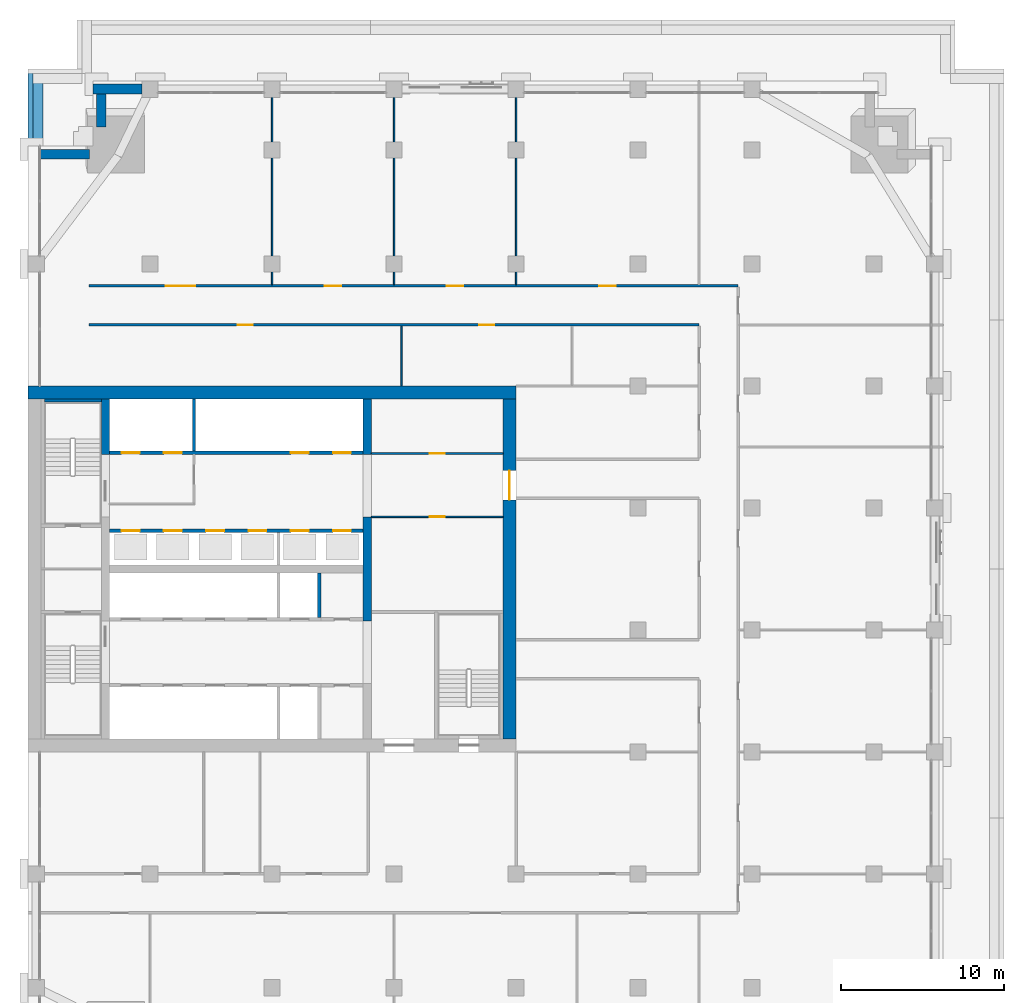
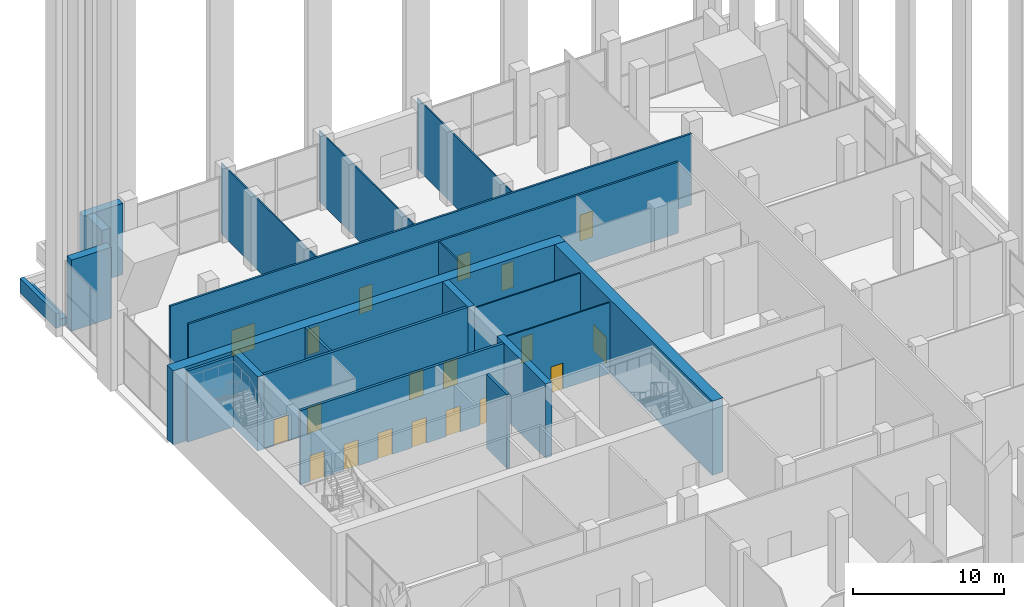
# One storey, part 14 of 23: 23 walls, 19 doors, 19 openings.
"""IFC4 building model written with IfcOpenShell, lengths in metres."""

import ifcopenshell
import ifcopenshell.guid

model = None  # the IFC model being written
_history = None  # IfcOwnerHistory: only IFC2X3 demands one
_inside = {}  # id of a spatial element -> (the spatial element, [elements in it])
_under = {}  # id of a project, library or spatial element -> (it, [spatial elements below it])
_declared = {}  # id of a project -> (the project, [libraries it declares])
_typed = {}  # id of a type object -> (the type object, [elements of that type])
_made_of = {}  # id of a material, layer set ... -> (it, [elements and type objects made of it])


def new_model(schema):
    """Start an empty IFC model of exactly this schema.

    Asked for "IFC4X3", IfcOpenShell would pick the latest addendum, in which some entities
    have other attributes; the version numbers below select the first issue.
    IFC2X3 requires an IfcOwnerHistory on every rooted entity: one is made here for all.
    """
    global model, _history
    if schema == "IFC4X3":
        model = ifcopenshell.file(schema_version=(4, 3, 0, 0))
    else:
        model = ifcopenshell.file(schema=schema)
    _inside.clear()
    _under.clear()
    _declared.clear()
    _typed.clear()
    _made_of.clear()
    _history = None
    if model.schema == "IFC2X3":
        org = make("IfcOrganization", Name="unknown")
        user = make(
            "IfcPersonAndOrganization",
            ThePerson=make("IfcPerson", FamilyName="unknown"),
            TheOrganization=org,
        )
        app = make(
            "IfcApplication",
            ApplicationDeveloper=org,
            Version="unknown",
            ApplicationFullName="unknown",
            ApplicationIdentifier="unknown",
        )
        _history = make(
            "IfcOwnerHistory",
            OwningUser=user,
            OwningApplication=app,
            ChangeAction="ADDED",
            CreationDate=0,
        )
    return model


def make(cls, **values):
    """One entity of the class cls with the attributes given. An attribute that is None is left unset."""
    return model.create_entity(
        cls, **{name: value for name, value in values.items() if value is not None}
    )


def rooted(cls, **values):
    """An entity with a GlobalId (a new one), such as an element, a storey or a relation."""
    return make(cls, GlobalId=ifcopenshell.guid.new(), OwnerHistory=_history, **values)


def si_unit(unit_type, name, prefix=None):
    """IfcSIUnit, for example si_unit("LENGTHUNIT", "METRE", prefix="MILLI")."""
    return make("IfcSIUnit", UnitType=unit_type, Prefix=prefix, Name=name)


def assignment(units):
    """IfcUnitAssignment: the units of a project."""
    return None if units is None else make("IfcUnitAssignment", Units=units)


def point(xyz):
    """IfcCartesianPoint."""
    return None if xyz is None else make("IfcCartesianPoint", Coordinates=xyz)


def direction(xyz):
    """IfcDirection."""
    return None if xyz is None else make("IfcDirection", DirectionRatios=xyz)


def frame(location, z_axis=None, x_axis=None):
    """IfcAxis2Placement3D, a coordinate frame: its origin and axes. An axis left out is left unset."""
    return make(
        "IfcAxis2Placement3D",
        Location=point(location),
        Axis=direction(z_axis),
        RefDirection=direction(x_axis),
    )


def frame_2d(location, x_axis=None):
    """IfcAxis2Placement2D, a coordinate frame in the plane: its origin and x axis."""
    return make(
        "IfcAxis2Placement2D", Location=point(location), RefDirection=direction(x_axis)
    )


def origin():
    """The frame at (0, 0, 0) with its axes left unset."""
    return frame((0.0, 0.0, 0.0))


def place(relative_to, where):
    """IfcLocalPlacement: puts the frame where relative to a parent placement (None: the world)."""
    return make(
        "IfcLocalPlacement", PlacementRelTo=relative_to, RelativePlacement=where
    )


def context(
    kind, dimensions, precision=None, world=None, true_north=None, identifier=None
):
    """IfcGeometricRepresentationContext, for example the 3D "Model" context."""
    return make(
        "IfcGeometricRepresentationContext",
        ContextIdentifier=identifier,
        ContextType=kind,
        CoordinateSpaceDimension=dimensions,
        Precision=precision,
        WorldCoordinateSystem=world,
        TrueNorth=true_north,
    )


def subcontext(parent, identifier, kind, view, scale=None):
    """IfcGeometricRepresentationSubContext, for example "Body" below "Model"."""
    return make(
        "IfcGeometricRepresentationSubContext",
        ContextIdentifier=identifier,
        ContextType=kind,
        ParentContext=parent,
        TargetScale=scale,
        TargetView=view,
    )


def project(units=None, contexts=None):
    """IfcProject with its units and contexts."""
    return rooted(
        "IfcProject",
        Name="project",
        RepresentationContexts=contexts,
        UnitsInContext=assignment(units),
    )


def spatial(cls, under=None, at=None, **own):
    """A site, building, storey or space (cls), placed at a placement, below another one or the project."""
    s = rooted(cls, ObjectPlacement=at, **own)
    if under is not None:
        _under.setdefault(under.id(), (under, []))[1].append(s)
    return s


def profile(cls, at=None, kind="AREA", **sizes):
    """A parametric profile (cls). Its sizes go by their IFC names, for example OverallWidth=200.0."""
    return make(cls, ProfileType=kind, Position=at, **sizes)


def rectangle(**sizes):
    """IfcRectangleProfileDef."""
    return profile("IfcRectangleProfileDef", **sizes)


def extrude(swept, where, along, depth):
    """IfcExtrudedAreaSolid: the profile swept, set in the frame where, extruded along a direction by depth."""
    return make(
        "IfcExtrudedAreaSolid",
        SweptArea=swept,
        Position=where,
        ExtrudedDirection=direction(along),
        Depth=depth,
    )


def shape(context_of_items, identifier, shape_type, items):
    """IfcShapeRepresentation: the items that make up one representation, for example the "Body"."""
    return make(
        "IfcShapeRepresentation",
        ContextOfItems=context_of_items,
        RepresentationIdentifier=identifier,
        RepresentationType=shape_type,
        Items=items,
    )


def material(Name=None, Category=None):
    """IfcMaterial."""
    return make("IfcMaterial", Name=Name, Category=Category)


def layer(
    of_material, thickness, ventilated=None, Name=None, Category=None, Priority=None
):
    """IfcMaterialLayer: one layer of a wall or slab, of a material (None: an air gap)."""
    return make(
        "IfcMaterialLayer",
        Material=of_material,
        LayerThickness=thickness,
        IsVentilated=ventilated,
        Name=Name,
        Category=Category,
        Priority=Priority,
    )


def layer_set(layers, Name=None):
    """IfcMaterialLayerSet."""
    return make("IfcMaterialLayerSet", MaterialLayers=layers, LayerSetName=Name)


def made_of(thing, what):
    """Note that an element or type object is made of a material, layer set ...; save() writes the relation."""
    if what is not None:
        _made_of.setdefault(what.id(), (what, []))[1].append(thing)
    return thing


def type_object(cls, material=None, **own):
    """A type object (cls), such as IfcWallType, which elements share."""
    return made_of(rooted(cls, **own), material)


def element(
    cls,
    number,
    at=None,
    inside=None,
    cuts=None,
    type_object=None,
    material=None,
    context=None,
    identifier="Body",
    shape_type=None,
    held_by="IfcProductDefinitionShape",
    body=None,
    shapes=None,
    **own,
):
    """One element of the class cls, such as IfcWall. Its Tag is "e" and its number.

    at: its placement. inside: the storey or other place that contains it. cuts: it is an
    opening in that element (IfcRelVoidsElement). A single representation is given by context,
    identifier, shape_type and body (its items); several are given by shapes. held_by: the class
    of the entity that holds the representations. save() writes the other relations.
    """
    e = rooted(cls, Tag="e%d" % number, ObjectPlacement=at, **own)
    if body is not None:
        shapes = [shape(context, identifier, shape_type, body)]
    if shapes is not None:
        e.Representation = make(held_by, Representations=shapes)
    if inside is not None:
        _inside.setdefault(inside.id(), (inside, []))[1].append(e)
    if cuts is not None:
        rooted(
            "IfcRelVoidsElement", RelatingBuildingElement=cuts, RelatedOpeningElement=e
        )
    if type_object is not None:
        _typed.setdefault(type_object.id(), (type_object, []))[1].append(e)
    return made_of(e, material)


def fill(opening, filler):
    """IfcRelFillsElement: the door or window that sits in an opening."""
    return rooted(
        "IfcRelFillsElement",
        RelatingOpeningElement=opening,
        RelatedBuildingElement=filler,
    )


def aggregate(whole, parts):
    """IfcRelAggregates: a whole, such as a stair, and the parts it consists of."""
    return rooted("IfcRelAggregates", RelatingObject=whole, RelatedObjects=parts)


def save(model, path):
    """Write the relations noted so far, then the file.

    IfcRelAggregates (storeys below a building ...), IfcRelContainedInSpatialStructure (elements
    in a storey), IfcRelDefinesByType, IfcRelAssociatesMaterial and IfcRelDeclares: one each for
    every whole, place, type object, material and project.
    """
    for whole, parts in _under.values():
        aggregate(whole, parts)
    for where, things in _inside.values():
        rooted(
            "IfcRelContainedInSpatialStructure",
            RelatedElements=things,
            RelatingStructure=where,
        )
    for kind, things in _typed.values():
        rooted("IfcRelDefinesByType", RelatedObjects=things, RelatingType=kind)
    for what, things in _made_of.values():
        rooted("IfcRelAssociatesMaterial", RelatedObjects=things, RelatingMaterial=what)
    for by, libraries in _declared.values():
        rooted("IfcRelDeclares", RelatingContext=by, RelatedDefinitions=libraries)
    model.write(path)


model = new_model("IFC4")

# Units and contexts
model_context = context("Model", 3, precision=1e-05, world=origin(), true_north=direction((0.0, 1.0)))
body_context = subcontext(model_context, "Body", "Model", "MODEL_VIEW")
ifc_project = project(units=[si_unit("LENGTHUNIT", "METRE"), si_unit("AREAUNIT", "SQUARE_METRE"), si_unit("VOLUMEUNIT", "CUBIC_METRE"), si_unit("PLANEANGLEUNIT", "RADIAN"), si_unit("MASSUNIT", "GRAM", prefix="KILO")], contexts=[model_context])

# Site, building, storey
site_placement = place(None, origin())
site = spatial("IfcSite", under=ifc_project, at=site_placement, CompositionType="ELEMENT")
building_placement = place(site_placement, origin())
building = spatial("IfcBuilding", under=site, at=building_placement, Name="Tamorin Gate", CompositionType="ELEMENT")
storey_placement = place(building_placement, frame((0.0, 0.0, 124.199951171875)))
storey = spatial("IfcBuildingStorey", under=building, at=storey_placement, Name="L30", CompositionType="ELEMENT", Elevation=124.199951171875)

# Walls
ifc_material_1 = material(Name="Precast concrete C40/50", Category="concrete")
ifc_layer_1 = layer(ifc_material_1, 0.60009765625)
ifc_layer_set_1 = layer_set([ifc_layer_1], Name="Precast concrete C40/50")
wall_type_1 = type_object("IfcWallType", Name="Board-marked concrete facade panel 600", PredefinedType="SOLIDWALL", material=ifc_layer_set_1)
wall_1_placement = place(storey_placement, frame((37.0, 100.75, 0.0), z_axis=(0.0, 0.0, 1.0), x_axis=(-1.0, 0.0, 0.0)))
element("IfcWall", 1, at=wall_1_placement, inside=storey, type_object=wall_type_1, Name="Facade panel", PredefinedType="SOLIDWALL", context=body_context, shape_type="SweptSolid", body=[
    extrude(rectangle(XDim=3.0, YDim=0.60009765625, at=frame_2d((1.5, 0.0))), origin(), (0.0, 0.0, 1.0), 5.75),
])
wall_2_placement = place(storey_placement, frame((34.5, 100.449951171875, 0.0), z_axis=(0.0, 0.0, 1.0), x_axis=(0.0, -1.0, 0.0)))
element("IfcWall", 2, at=wall_2_placement, inside=storey, type_object=wall_type_1, Name="Facade panel", PredefinedType="SOLIDWALL", context=body_context, shape_type="SweptSolid", body=[
    extrude(rectangle(XDim=2.043701171875, YDim=0.60009765625, at=frame_2d((1.02197265625, 0.0))), origin(), (0.0, 0.0, 1.0), 5.75),
])
wall_3_placement = place(storey_placement, frame((33.78125, 96.75, 0.0), z_axis=(0.0, 0.0, 1.0), x_axis=(-1.0, 0.0, 0.0)))
element("IfcWall", 3, at=wall_3_placement, inside=storey, type_object=wall_type_1, Name="Facade panel", PredefinedType="SOLIDWALL", context=body_context, shape_type="SweptSolid", body=[
    extrude(rectangle(XDim=3.04736328125, YDim=0.60009765625, at=frame_2d((1.523681640625, 0.0))), origin(), (0.0, 0.0, 1.0), 5.75),
])

# Wall, openings, doors
ifc_material_2 = material(Name="Gypsum board partition")
ifc_layer_2 = layer(ifc_material_2, 0.14990234375)
ifc_layer_set_2 = layer_set([ifc_layer_2], Name="Corridor wall 150")
wall_type_2 = type_object("IfcWallType", Name="Corridor wall 150", PredefinedType="PARTITIONING", material=ifc_layer_set_2)
wall_4_placement = place(storey_placement, frame((33.75, 86.25, 0.0), z_axis=(0.0, 0.0, 1.0), x_axis=(1.0, 0.0, 0.0)))
wall_4 = element("IfcWall", 4, at=wall_4_placement, inside=storey, type_object=wall_type_2, Name="Corridor wall 150", PredefinedType="PARTITIONING", context=body_context, shape_type="SweptSolid", body=[
    extrude(rectangle(XDim=37.5, YDim=0.14990234375, at=frame_2d((18.75, 0.0))), origin(), (0.0, 0.0, 1.0), 5.75),
])
opening_1_placement = place(wall_4_placement, frame((9.14990234375, 0.0, 0.0)))
opening_1 = element("IfcOpeningElement", 5, at=opening_1_placement, cuts=wall_4, Name="Opening DSL1019", PredefinedType="OPENING", context=body_context, shape_type="SweptSolid", body=[
    extrude(rectangle(XDim=0.89990234375, YDim=2.10009765625, at=frame_2d((0.449951171875, 1.050048828125))), frame((0.0, 0.0849609375, 0.0), z_axis=(0.0, -1.0, 0.0), x_axis=(1.0, 0.0, 0.0)), (0.0, 0.0, 1.0), 0.169921875),
])
opening_2_placement = place(wall_4_placement, frame((24.0, 0.0, 0.0)))
opening_2 = element("IfcOpeningElement", 6, at=opening_2_placement, cuts=wall_4, Name="Opening DSL1020", PredefinedType="OPENING", context=body_context, shape_type="SweptSolid", body=[
    extrude(rectangle(XDim=0.89990234375, YDim=2.10009765625, at=frame_2d((0.449951171875, 1.050048828125))), frame((0.0, 0.0849609375, 0.0), z_axis=(0.0, -1.0, 0.0), x_axis=(1.0, 0.0, 0.0)), (0.0, 0.0, 1.0), 0.169921875),
])
ifc_material_3 = material(Name="Timber door leaf", Category="wood")
door_type_1 = type_object("IfcDoorType", Name="Door 900 x 2100 FD30S", OperationType="NOTDEFINED", PredefinedType="DOOR", material=ifc_material_3)
door_1_placement = place(opening_1_placement, origin())
door_1 = element("IfcDoor", 7, at=door_1_placement, inside=storey, type_object=door_type_1, Name="Door DSL1019", OperationType="SINGLE_SWING_RIGHT", OverallHeight=2.10009765625, OverallWidth=0.89990234375, PredefinedType="DOOR", context=body_context, shape_type="SweptSolid", body=[
    extrude(rectangle(XDim=0.89990234375, YDim=2.10009765625, at=frame_2d((0.449951171875, 1.050048828125))), frame((0.0, 0.02490234375, 0.0), z_axis=(0.0, -1.0, 0.0), x_axis=(1.0, 0.0, 0.0)), (0.0, 0.0, 1.0), 0.050048828125),
])
fill(opening_1, door_1)
door_2_placement = place(opening_2_placement, origin())
door_2 = element("IfcDoor", 8, at=door_2_placement, inside=storey, type_object=door_type_1, Name="Door DSL1020", OperationType="SINGLE_SWING_LEFT", OverallHeight=2.10009765625, OverallWidth=0.89990234375, PredefinedType="DOOR", context=body_context, shape_type="SweptSolid", body=[
    extrude(rectangle(XDim=0.89990234375, YDim=2.10009765625, at=frame_2d((0.449951171875, 1.050048828125))), frame((0.0, 0.02490234375, 0.0), z_axis=(0.0, -1.0, 0.0), x_axis=(1.0, 0.0, 0.0)), (0.0, 0.0, 1.0), 0.050048828125),
])
fill(opening_2, door_2)

wall_5_placement = place(storey_placement, frame((33.75, 88.64990234375, 0.0), z_axis=(0.0, 0.0, 1.0), x_axis=(1.0, 0.0, 0.0)))
wall_5 = element("IfcWall", 9, at=wall_5_placement, inside=storey, type_object=wall_type_2, Name="Corridor wall 150", PredefinedType="PARTITIONING", context=body_context, shape_type="SweptSolid", body=[
    extrude(rectangle(XDim=39.89990234375, YDim=0.14990234375, at=frame_2d((19.949951171875, 0.0))), origin(), (0.0, 0.0, 1.0), 5.75),
])
opening_3_placement = place(wall_5_placement, frame((4.72509765625, 0.0, 0.0)))
opening_3 = element("IfcOpeningElement", 10, at=opening_3_placement, cuts=wall_5, Name="Opening DSL1005", PredefinedType="OPENING", context=body_context, shape_type="SweptSolid", body=[
    extrude(rectangle(XDim=1.800048828125, YDim=2.10009765625, at=frame_2d((0.89990234375, 1.050048828125))), frame((0.0, 0.0849609375, 0.0), z_axis=(0.0, -1.0, 0.0), x_axis=(1.0, 0.0, 0.0)), (0.0, 0.0, 1.0), 0.169921875),
])
opening_4_placement = place(wall_5_placement, frame((14.5, 0.0, 0.0)))
opening_4 = element("IfcOpeningElement", 11, at=opening_4_placement, cuts=wall_5, Name="Opening DSL1006", PredefinedType="OPENING", context=body_context, shape_type="SweptSolid", body=[
    extrude(rectangle(XDim=1.0, YDim=2.10009765625, at=frame_2d((0.5, 1.050048828125))), frame((0.0, 0.0849609375, 0.0), z_axis=(0.0, -1.0, 0.0), x_axis=(1.0, 0.0, 0.0)), (0.0, 0.0, 1.0), 0.169921875),
])
opening_5_placement = place(wall_5_placement, frame((22.0, 0.0, 0.0)))
opening_5 = element("IfcOpeningElement", 12, at=opening_5_placement, cuts=wall_5, Name="Opening DSL1007", PredefinedType="OPENING", context=body_context, shape_type="SweptSolid", body=[
    extrude(rectangle(XDim=1.0, YDim=2.10009765625, at=frame_2d((0.5, 1.050048828125))), frame((0.0, 0.0849609375, 0.0), z_axis=(0.0, -1.0, 0.0), x_axis=(1.0, 0.0, 0.0)), (0.0, 0.0, 1.0), 0.169921875),
])
opening_6_placement = place(wall_5_placement, frame((31.375, 0.0, 0.0)))
opening_6 = element("IfcOpeningElement", 13, at=opening_6_placement, cuts=wall_5, Name="Opening DSL1008", PredefinedType="OPENING", context=body_context, shape_type="SweptSolid", body=[
    extrude(rectangle(XDim=1.0, YDim=2.10009765625, at=frame_2d((0.5, 1.050048828125))), frame((0.0, 0.0849609375, 0.0), z_axis=(0.0, -1.0, 0.0), x_axis=(1.0, 0.0, 0.0)), (0.0, 0.0, 1.0), 0.169921875),
])
door_type_2 = type_object("IfcDoorType", Name="Door 1000 x 2100 FD30S", OperationType="NOTDEFINED", PredefinedType="DOOR", material=ifc_material_3)
door_3_placement = place(opening_4_placement, origin())
door_3 = element("IfcDoor", 14, at=door_3_placement, inside=storey, type_object=door_type_2, Name="Door DSL1006", OperationType="SINGLE_SWING_LEFT", OverallHeight=2.10009765625, OverallWidth=1.0, PredefinedType="DOOR", context=body_context, shape_type="SweptSolid", body=[
    extrude(rectangle(XDim=1.0, YDim=2.10009765625, at=frame_2d((0.5, 1.050048828125))), frame((0.0, 0.02490234375, 0.0), z_axis=(0.0, -1.0, 0.0), x_axis=(1.0, 0.0, 0.0)), (0.0, 0.0, 1.0), 0.050048828125),
])
fill(opening_4, door_3)
door_4_placement = place(opening_5_placement, origin())
door_4 = element("IfcDoor", 15, at=door_4_placement, inside=storey, type_object=door_type_2, Name="Door DSL1007", OperationType="SINGLE_SWING_LEFT", OverallHeight=2.10009765625, OverallWidth=1.0, PredefinedType="DOOR", context=body_context, shape_type="SweptSolid", body=[
    extrude(rectangle(XDim=1.0, YDim=2.10009765625, at=frame_2d((0.5, 1.050048828125))), frame((0.0, 0.02490234375, 0.0), z_axis=(0.0, -1.0, 0.0), x_axis=(1.0, 0.0, 0.0)), (0.0, 0.0, 1.0), 0.050048828125),
])
fill(opening_5, door_4)
door_5_placement = place(opening_6_placement, origin())
door_5 = element("IfcDoor", 16, at=door_5_placement, inside=storey, type_object=door_type_2, Name="Door DSL1008", OperationType="SINGLE_SWING_LEFT", OverallHeight=2.10009765625, OverallWidth=1.0, PredefinedType="DOOR", context=body_context, shape_type="SweptSolid", body=[
    extrude(rectangle(XDim=1.0, YDim=2.10009765625, at=frame_2d((0.5, 1.050048828125))), frame((0.0, 0.02490234375, 0.0), z_axis=(0.0, -1.0, 0.0), x_axis=(1.0, 0.0, 0.0)), (0.0, 0.0, 1.0), 0.050048828125),
])
fill(opening_6, door_5)
door_type_3 = type_object("IfcDoorType", Name="Door 1800 x 2100 FD30S", OperationType="DOUBLE_DOOR_SINGLE_SWING", PredefinedType="DOOR", material=ifc_material_3)
door_6_placement = place(opening_3_placement, origin())
door_6 = element("IfcDoor", 17, at=door_6_placement, inside=storey, type_object=door_type_3, Name="Door DSL1005", OperationType="DOUBLE_DOOR_SINGLE_SWING", OverallHeight=2.10009765625, OverallWidth=1.800048828125, PredefinedType="DOOR", context=body_context, shape_type="SweptSolid", body=[
    extrude(rectangle(XDim=1.800048828125, YDim=2.10009765625, at=frame_2d((0.89990234375, 1.050048828125))), frame((0.0, 0.02490234375, 0.0), z_axis=(0.0, -1.0, 0.0), x_axis=(1.0, 0.0, 0.0)), (0.0, 0.0, 1.0), 0.050048828125),
])
fill(opening_3, door_6)

ifc_material_4 = material(Name="Concrete C32/40", Category="concrete")
ifc_layer_3 = layer(ifc_material_4, 0.199951171875)
ifc_layer_set_3 = layer_set([ifc_layer_3], Name="Lift lobby face wall 200 EI 120")
wall_type_3 = type_object("IfcWallType", Name="Lift lobby face wall 200 EI 120", PredefinedType="SOLIDWALL", material=ifc_layer_set_3)
wall_6_placement = place(storey_placement, frame((35.0, 73.60009765625, 0.0), z_axis=(0.0, 0.0, 1.0), x_axis=(1.0, 0.0, 0.0)))
wall_6 = element("IfcWall", 18, at=wall_6_placement, inside=storey, type_object=wall_type_3, Name="Lift lobby face wall", PredefinedType="SOLIDWALL", context=body_context, shape_type="SweptSolid", body=[
    extrude(rectangle(XDim=15.60009765625, YDim=0.199951171875, at=frame_2d((7.800048828125, 0.0))), origin(), (0.0, 0.0, 1.0), 6.0),
])
opening_7_placement = place(wall_6_placement, frame((0.75, 0.0, 0.0)))
opening_7 = element("IfcOpeningElement", 19, at=opening_7_placement, cuts=wall_6, Name="Opening LD11", PredefinedType="OPENING", context=body_context, shape_type="SweptSolid", body=[
    extrude(rectangle(XDim=1.10009765625, YDim=2.10009765625, at=frame_2d((0.550048828125, 1.050048828125))), frame((0.0, 0.10986328125, 0.0), z_axis=(0.0, -1.0, 0.0), x_axis=(1.0, 0.0, 0.0)), (0.0, 0.0, 1.0), 0.219970703125),
])
opening_8_placement = place(wall_6_placement, frame((3.35009765625, 0.0, 0.0)))
opening_8 = element("IfcOpeningElement", 20, at=opening_8_placement, cuts=wall_6, Name="Opening LD12", PredefinedType="OPENING", context=body_context, shape_type="SweptSolid", body=[
    extrude(rectangle(XDim=1.10009765625, YDim=2.10009765625, at=frame_2d((0.550048828125, 1.050048828125))), frame((0.0, 0.10986328125, 0.0), z_axis=(0.0, -1.0, 0.0), x_axis=(1.0, 0.0, 0.0)), (0.0, 0.0, 1.0), 0.219970703125),
])
opening_9_placement = place(wall_6_placement, frame((5.949951171875, 0.0, 0.0)))
opening_9 = element("IfcOpeningElement", 21, at=opening_9_placement, cuts=wall_6, Name="Opening LD13", PredefinedType="OPENING", context=body_context, shape_type="SweptSolid", body=[
    extrude(rectangle(XDim=1.10009765625, YDim=2.10009765625, at=frame_2d((0.550048828125, 1.050048828125))), frame((0.0, 0.10986328125, 0.0), z_axis=(0.0, -1.0, 0.0), x_axis=(1.0, 0.0, 0.0)), (0.0, 0.0, 1.0), 0.219970703125),
])
opening_10_placement = place(wall_6_placement, frame((8.550048828125, 0.0, 0.0)))
opening_10 = element("IfcOpeningElement", 22, at=opening_10_placement, cuts=wall_6, Name="Opening LD14", PredefinedType="OPENING", context=body_context, shape_type="SweptSolid", body=[
    extrude(rectangle(XDim=1.10009765625, YDim=2.10009765625, at=frame_2d((0.550048828125, 1.050048828125))), frame((0.0, 0.10986328125, 0.0), z_axis=(0.0, -1.0, 0.0), x_axis=(1.0, 0.0, 0.0)), (0.0, 0.0, 1.0), 0.219970703125),
])
opening_11_placement = place(wall_6_placement, frame((11.14990234375, 0.0, 0.0)))
opening_11 = element("IfcOpeningElement", 23, at=opening_11_placement, cuts=wall_6, Name="Opening LD15", PredefinedType="OPENING", context=body_context, shape_type="SweptSolid", body=[
    extrude(rectangle(XDim=1.10009765625, YDim=2.10009765625, at=frame_2d((0.550048828125, 1.050048828125))), frame((0.0, 0.10986328125, 0.0), z_axis=(0.0, -1.0, 0.0), x_axis=(1.0, 0.0, 0.0)), (0.0, 0.0, 1.0), 0.219970703125),
])
opening_12_placement = place(wall_6_placement, frame((13.75, 0.0, 0.0)))
opening_12 = element("IfcOpeningElement", 24, at=opening_12_placement, cuts=wall_6, Name="Opening LD16", PredefinedType="OPENING", context=body_context, shape_type="SweptSolid", body=[
    extrude(rectangle(XDim=1.10009765625, YDim=2.10009765625, at=frame_2d((0.550048828125, 1.050048828125))), frame((0.0, 0.10986328125, 0.0), z_axis=(0.0, -1.0, 0.0), x_axis=(1.0, 0.0, 0.0)), (0.0, 0.0, 1.0), 0.219970703125),
])
ifc_material_5 = material(Name="Stainless steel sliding door", Category="steel")
door_type_4 = type_object("IfcDoorType", Name="Lift landing door 1100 x 2100 E 90", OperationType="DOUBLE_DOOR_SLIDING", PredefinedType="DOOR", material=ifc_material_5)
door_7_placement = place(opening_7_placement, origin())
door_7 = element("IfcDoor", 25, at=door_7_placement, inside=storey, type_object=door_type_4, Name="HR1 landing door", OperationType="DOUBLE_DOOR_SLIDING", OverallHeight=2.10009765625, OverallWidth=1.10009765625, PredefinedType="DOOR", context=body_context, shape_type="SweptSolid", body=[
    extrude(rectangle(XDim=1.10009765625, YDim=2.10009765625, at=frame_2d((0.550048828125, 1.050048828125))), frame((0.0, 0.02490234375, 0.0), z_axis=(0.0, -1.0, 0.0), x_axis=(1.0, 0.0, 0.0)), (0.0, 0.0, 1.0), 0.050048828125),
])
fill(opening_7, door_7)
door_8_placement = place(opening_8_placement, origin())
door_8 = element("IfcDoor", 26, at=door_8_placement, inside=storey, type_object=door_type_4, Name="HR2 landing door", OperationType="DOUBLE_DOOR_SLIDING", OverallHeight=2.10009765625, OverallWidth=1.10009765625, PredefinedType="DOOR", context=body_context, shape_type="SweptSolid", body=[
    extrude(rectangle(XDim=1.10009765625, YDim=2.10009765625, at=frame_2d((0.550048828125, 1.050048828125))), frame((0.0, 0.02490234375, 0.0), z_axis=(0.0, -1.0, 0.0), x_axis=(1.0, 0.0, 0.0)), (0.0, 0.0, 1.0), 0.050048828125),
])
fill(opening_8, door_8)
door_9_placement = place(opening_9_placement, origin())
door_9 = element("IfcDoor", 27, at=door_9_placement, inside=storey, type_object=door_type_4, Name="HR3 landing door", OperationType="DOUBLE_DOOR_SLIDING", OverallHeight=2.10009765625, OverallWidth=1.10009765625, PredefinedType="DOOR", context=body_context, shape_type="SweptSolid", body=[
    extrude(rectangle(XDim=1.10009765625, YDim=2.10009765625, at=frame_2d((0.550048828125, 1.050048828125))), frame((0.0, 0.02490234375, 0.0), z_axis=(0.0, -1.0, 0.0), x_axis=(1.0, 0.0, 0.0)), (0.0, 0.0, 1.0), 0.050048828125),
])
fill(opening_9, door_9)
door_10_placement = place(opening_10_placement, origin())
door_10 = element("IfcDoor", 28, at=door_10_placement, inside=storey, type_object=door_type_4, Name="HR4 landing door", OperationType="DOUBLE_DOOR_SLIDING", OverallHeight=2.10009765625, OverallWidth=1.10009765625, PredefinedType="DOOR", context=body_context, shape_type="SweptSolid", body=[
    extrude(rectangle(XDim=1.10009765625, YDim=2.10009765625, at=frame_2d((0.550048828125, 1.050048828125))), frame((0.0, 0.02490234375, 0.0), z_axis=(0.0, -1.0, 0.0), x_axis=(1.0, 0.0, 0.0)), (0.0, 0.0, 1.0), 0.050048828125),
])
fill(opening_10, door_10)
door_11_placement = place(opening_11_placement, origin())
door_11 = element("IfcDoor", 29, at=door_11_placement, inside=storey, type_object=door_type_4, Name="HR5 landing door", OperationType="DOUBLE_DOOR_SLIDING", OverallHeight=2.10009765625, OverallWidth=1.10009765625, PredefinedType="DOOR", context=body_context, shape_type="SweptSolid", body=[
    extrude(rectangle(XDim=1.10009765625, YDim=2.10009765625, at=frame_2d((0.550048828125, 1.050048828125))), frame((0.0, 0.02490234375, 0.0), z_axis=(0.0, -1.0, 0.0), x_axis=(1.0, 0.0, 0.0)), (0.0, 0.0, 1.0), 0.050048828125),
])
fill(opening_11, door_11)
door_12_placement = place(opening_12_placement, origin())
door_12 = element("IfcDoor", 30, at=door_12_placement, inside=storey, type_object=door_type_4, Name="HR6 landing door", OperationType="DOUBLE_DOOR_SLIDING", OverallHeight=2.10009765625, OverallWidth=1.10009765625, PredefinedType="DOOR", context=body_context, shape_type="SweptSolid", body=[
    extrude(rectangle(XDim=1.10009765625, YDim=2.10009765625, at=frame_2d((0.550048828125, 1.050048828125))), frame((0.0, 0.02490234375, 0.0), z_axis=(0.0, -1.0, 0.0), x_axis=(1.0, 0.0, 0.0)), (0.0, 0.0, 1.0), 0.050048828125),
])
fill(opening_12, door_12)

wall_7_placement = place(storey_placement, frame((35.0, 78.39990234375, 0.0), z_axis=(0.0, 0.0, 1.0), x_axis=(1.0, 0.0, 0.0)))
wall_7 = element("IfcWall", 31, at=wall_7_placement, inside=storey, type_object=wall_type_3, Name="Lift lobby face wall", PredefinedType="SOLIDWALL", context=body_context, shape_type="SweptSolid", body=[
    extrude(rectangle(XDim=15.60009765625, YDim=0.199951171875, at=frame_2d((7.800048828125, 0.0))), origin(), (0.0, 0.0, 1.0), 6.0),
])
opening_13_placement = place(wall_7_placement, frame((0.75, 0.0, 0.0)))
opening_13 = element("IfcOpeningElement", 32, at=opening_13_placement, cuts=wall_7, Name="Opening LD17", PredefinedType="OPENING", context=body_context, shape_type="SweptSolid", body=[
    extrude(rectangle(XDim=1.10009765625, YDim=2.10009765625, at=frame_2d((0.550048828125, 1.050048828125))), frame((0.0, 0.10986328125, 0.0), z_axis=(0.0, -1.0, 0.0), x_axis=(1.0, 0.0, 0.0)), (0.0, 0.0, 1.0), 0.219970703125),
])
opening_14_placement = place(wall_7_placement, frame((3.35009765625, 0.0, 0.0)))
opening_14 = element("IfcOpeningElement", 33, at=opening_14_placement, cuts=wall_7, Name="Opening LD18", PredefinedType="OPENING", context=body_context, shape_type="SweptSolid", body=[
    extrude(rectangle(XDim=1.10009765625, YDim=2.10009765625, at=frame_2d((0.550048828125, 1.050048828125))), frame((0.0, 0.10986328125, 0.0), z_axis=(0.0, -1.0, 0.0), x_axis=(1.0, 0.0, 0.0)), (0.0, 0.0, 1.0), 0.219970703125),
])
opening_15_placement = place(wall_7_placement, frame((11.14990234375, 0.0, 0.0)))
opening_15 = element("IfcOpeningElement", 34, at=opening_15_placement, cuts=wall_7, Name="Opening LD21", PredefinedType="OPENING", context=body_context, shape_type="SweptSolid", body=[
    extrude(rectangle(XDim=1.10009765625, YDim=2.10009765625, at=frame_2d((0.550048828125, 1.050048828125))), frame((0.0, 0.10986328125, 0.0), z_axis=(0.0, -1.0, 0.0), x_axis=(1.0, 0.0, 0.0)), (0.0, 0.0, 1.0), 0.219970703125),
])
opening_16_placement = place(wall_7_placement, frame((13.75, 0.0, 0.0)))
opening_16 = element("IfcOpeningElement", 35, at=opening_16_placement, cuts=wall_7, Name="Opening LD22", PredefinedType="OPENING", context=body_context, shape_type="SweptSolid", body=[
    extrude(rectangle(XDim=1.10009765625, YDim=2.10009765625, at=frame_2d((0.550048828125, 1.050048828125))), frame((0.0, 0.10986328125, 0.0), z_axis=(0.0, -1.0, 0.0), x_axis=(1.0, 0.0, 0.0)), (0.0, 0.0, 1.0), 0.219970703125),
])
door_13_placement = place(opening_13_placement, origin())
door_13 = element("IfcDoor", 36, at=door_13_placement, inside=storey, type_object=door_type_4, Name="FF1 landing door", OperationType="DOUBLE_DOOR_SLIDING", OverallHeight=2.10009765625, OverallWidth=1.10009765625, PredefinedType="DOOR", context=body_context, shape_type="SweptSolid", body=[
    extrude(rectangle(XDim=1.10009765625, YDim=2.10009765625, at=frame_2d((0.550048828125, 1.050048828125))), frame((0.0, 0.02490234375, 0.0), z_axis=(0.0, -1.0, 0.0), x_axis=(1.0, 0.0, 0.0)), (0.0, 0.0, 1.0), 0.050048828125),
])
fill(opening_13, door_13)
door_14_placement = place(opening_14_placement, origin())
door_14 = element("IfcDoor", 37, at=door_14_placement, inside=storey, type_object=door_type_4, Name="FF2 landing door", OperationType="DOUBLE_DOOR_SLIDING", OverallHeight=2.10009765625, OverallWidth=1.10009765625, PredefinedType="DOOR", context=body_context, shape_type="SweptSolid", body=[
    extrude(rectangle(XDim=1.10009765625, YDim=2.10009765625, at=frame_2d((0.550048828125, 1.050048828125))), frame((0.0, 0.02490234375, 0.0), z_axis=(0.0, -1.0, 0.0), x_axis=(1.0, 0.0, 0.0)), (0.0, 0.0, 1.0), 0.050048828125),
])
fill(opening_14, door_14)
door_15_placement = place(opening_15_placement, origin())
door_15 = element("IfcDoor", 38, at=door_15_placement, inside=storey, type_object=door_type_4, Name="SV1 landing door", OperationType="DOUBLE_DOOR_SLIDING", OverallHeight=2.10009765625, OverallWidth=1.10009765625, PredefinedType="DOOR", context=body_context, shape_type="SweptSolid", body=[
    extrude(rectangle(XDim=1.10009765625, YDim=2.10009765625, at=frame_2d((0.550048828125, 1.050048828125))), frame((0.0, 0.02490234375, 0.0), z_axis=(0.0, -1.0, 0.0), x_axis=(1.0, 0.0, 0.0)), (0.0, 0.0, 1.0), 0.050048828125),
])
fill(opening_15, door_15)
door_16_placement = place(opening_16_placement, origin())
door_16 = element("IfcDoor", 39, at=door_16_placement, inside=storey, type_object=door_type_4, Name="SV2 landing door", OperationType="DOUBLE_DOOR_SLIDING", OverallHeight=2.10009765625, OverallWidth=1.10009765625, PredefinedType="DOOR", context=body_context, shape_type="SweptSolid", body=[
    extrude(rectangle(XDim=1.10009765625, YDim=2.10009765625, at=frame_2d((0.550048828125, 1.050048828125))), frame((0.0, 0.02490234375, 0.0), z_axis=(0.0, -1.0, 0.0), x_axis=(1.0, 0.0, 0.0)), (0.0, 0.0, 1.0), 0.050048828125),
])
fill(opening_16, door_16)

# Walls
ifc_layer_4 = layer(ifc_material_4, 0.199951171875)
ifc_layer_set_4 = layer_set([ifc_layer_4], Name="Lift shaft wall 200 EI 120")
wall_type_4 = type_object("IfcWallType", Name="Lift shaft wall 200 EI 120", PredefinedType="SOLIDWALL", material=ifc_layer_set_4)
wall_8_placement = place(storey_placement, frame((47.89990234375, 68.25, 0.0), z_axis=(0.0, 0.0, 1.0), x_axis=(0.0, 1.0, 0.0)))
element("IfcWall", 40, at=wall_8_placement, inside=storey, type_object=wall_type_4, Name="Lift shaft wall", PredefinedType="SOLIDWALL", context=body_context, shape_type="SweptSolid", body=[
    extrude(rectangle(XDim=2.75, YDim=0.199951171875, at=frame_2d((1.375, 0.0))), origin(), (0.0, 0.0, 1.0), 6.0),
])
wall_9_placement = place(storey_placement, frame((40.199951171875, 78.5, 0.0), z_axis=(0.0, 0.0, 1.0), x_axis=(0.0, 1.0, 0.0)))
element("IfcWall", 41, at=wall_9_placement, inside=storey, type_object=wall_type_4, Name="Lift shaft wall", PredefinedType="SOLIDWALL", context=body_context, shape_type="SweptSolid", body=[
    extrude(rectangle(XDim=3.199951171875, YDim=0.199951171875, at=frame_2d((1.60009765625, 0.0))), origin(), (0.0, 0.0, 1.0), 6.0),
])
ifc_material_6 = material(Name="Concrete C60/75", Category="concrete")
ifc_layer_5 = layer(ifc_material_6, 0.5)
ifc_layer_set_5 = layer_set([ifc_layer_5], Name="RC core internal wall 500 C60/75")
wall_type_5 = type_object("IfcWallType", Name="RC core internal wall 500 C60/75", PredefinedType="SHEAR", material=ifc_layer_set_5)
wall_10_placement = place(storey_placement, frame((34.75, 78.300048828125, 0.0), z_axis=(0.0, 0.0, 1.0), x_axis=(0.0, 1.0, 0.0)))
element("IfcWall", 42, at=wall_10_placement, inside=storey, type_object=wall_type_5, Name="Core cross wall L30", PredefinedType="SHEAR", context=body_context, shape_type="SweptSolid", body=[
    extrude(rectangle(XDim=3.39990234375, YDim=0.5, at=frame_2d((1.699951171875, 0.0))), origin(), (0.0, 0.0, 1.0), 6.0),
])
wall_11_placement = place(storey_placement, frame((50.85009765625, 68.050048828125, 0.0), z_axis=(0.0, 0.0, 1.0), x_axis=(0.0, 1.0, 0.0)))
element("IfcWall", 43, at=wall_11_placement, inside=storey, type_object=wall_type_5, Name="Core cross wall L30", PredefinedType="SHEAR", context=body_context, shape_type="SweptSolid", body=[
    extrude(rectangle(XDim=6.39990234375, YDim=0.5, at=frame_2d((3.199951171875, 0.0))), origin(), (0.0, 0.0, 1.0), 6.0),
])
wall_12_placement = place(storey_placement, frame((50.85009765625, 78.300048828125, 0.0), z_axis=(0.0, 0.0, 1.0), x_axis=(0.0, 1.0, 0.0)))
element("IfcWall", 44, at=wall_12_placement, inside=storey, type_object=wall_type_5, Name="Core cross wall L30", PredefinedType="SHEAR", context=body_context, shape_type="SweptSolid", body=[
    extrude(rectangle(XDim=3.39990234375, YDim=0.5, at=frame_2d((1.699951171875, 0.0))), origin(), (0.0, 0.0, 1.0), 6.0),
])
ifc_layer_6 = layer(ifc_material_6, 0.800048828125)
ifc_layer_set_6 = layer_set([ifc_layer_6], Name="RC core wall 800 C60/75")
wall_type_6 = type_object("IfcWallType", Name="RC core wall 800 C60/75", PredefinedType="SHEAR", material=ifc_layer_set_6)
wall_13_placement = place(storey_placement, frame((30.0, 82.10009765625, 0.0), z_axis=(0.0, 0.0, 1.0), x_axis=(1.0, 0.0, 0.0)))
element("IfcWall", 45, at=wall_13_placement, inside=storey, type_object=wall_type_6, Name="Core wall L30", PredefinedType="SHEAR", context=body_context, shape_type="SweptSolid", body=[
    extrude(rectangle(XDim=30.0, YDim=0.800048828125, at=frame_2d((15.0, 0.0))), origin(), (0.0, 0.0, 1.0), 6.0),
])

# Wall, opening, door
wall_14_placement = place(storey_placement, frame((59.60009765625, 60.800048828125, 0.0), z_axis=(0.0, 0.0, 1.0), x_axis=(0.0, 1.0, 0.0)))
wall_14 = element("IfcWall", 46, at=wall_14_placement, inside=storey, type_object=wall_type_6, Name="Core wall L30", PredefinedType="SHEAR", context=body_context, shape_type="SweptSolid", body=[
    extrude(rectangle(XDim=20.89990234375, YDim=0.800048828125, at=frame_2d((10.449951171875, 0.0))), origin(), (0.0, 0.0, 1.0), 6.0),
])
opening_17_placement = place(wall_14_placement, frame((14.699951171875, 0.0, 0.0)))
opening_17 = element("IfcOpeningElement", 47, at=opening_17_placement, cuts=wall_14, Name="Opening DE1", PredefinedType="OPENING", context=body_context, shape_type="SweptSolid", body=[
    extrude(rectangle(XDim=1.800048828125, YDim=2.10009765625, at=frame_2d((0.89990234375, 1.050048828125))), frame((0.0, 0.409912109375, 0.0), z_axis=(0.0, -1.0, 0.0), x_axis=(1.0, 0.0, 0.0)), (0.0, 0.0, 1.0), 0.820068359375),
])
ifc_material_7 = material(Name="Steel fire door", Category="steel")
door_type_5 = type_object("IfcDoorType", Name="Lobby exit double door 1800 x 2100 EI 60", OperationType="DOUBLE_DOOR_SINGLE_SWING", PredefinedType="DOOR", material=ifc_material_7)
door_17_placement = place(opening_17_placement, origin())
door_17 = element("IfcDoor", 48, at=door_17_placement, inside=storey, type_object=door_type_5, Name="Lift lobby B exit door", OperationType="DOUBLE_DOOR_SINGLE_SWING", OverallHeight=2.10009765625, OverallWidth=1.800048828125, PredefinedType="DOOR", context=body_context, shape_type="SweptSolid", body=[
    extrude(rectangle(XDim=1.800048828125, YDim=2.10009765625, at=frame_2d((0.89990234375, 1.050048828125))), frame((0.0, 0.02490234375, 0.0), z_axis=(0.0, -1.0, 0.0), x_axis=(1.0, 0.0, 0.0)), (0.0, 0.0, 1.0), 0.050048828125),
])
fill(opening_17, door_17)

# Walls
ifc_layer_7 = layer(ifc_material_2, 0.10009765625)
ifc_layer_set_7 = layer_set([ifc_layer_7], Name="Room partition 100")
wall_type_7 = type_object("IfcWallType", Name="Room partition 100", PredefinedType="PARTITIONING", material=ifc_layer_set_7)
for number, where, z_axis, x_axis, name in (
    (49, (45.0, 88.72509765625, 0.0), (0.0, 0.0, 1.0), (0.0, 1.0, 0.0), "Room partition 100"),
    (50, (52.5, 88.72509765625, 0.0), (0.0, 0.0, 1.0), (0.0, 1.0, 0.0), "Room partition 100"),
):
    element("IfcWall", number, at=place(storey_placement, frame(where, z_axis=z_axis, x_axis=x_axis)), inside=storey, type_object=wall_type_7, Name=name, PredefinedType="PARTITIONING", context=body_context, shape_type="SweptSolid", body=[
        extrude(rectangle(XDim=12.52490234375, YDim=0.10009765625, at=frame_2d((6.262451171875, 0.0))), origin(), (0.0, 0.0, 1.0), 5.75),
    ])
wall_15_placement = place(storey_placement, frame((52.949951171875, 82.5, 0.0), z_axis=(0.0, 0.0, 1.0), x_axis=(0.0, 1.0, 0.0)))
element("IfcWall", 51, at=wall_15_placement, inside=storey, type_object=wall_type_7, Name="Room partition 100", PredefinedType="PARTITIONING", context=body_context, shape_type="SweptSolid", body=[
    extrude(rectangle(XDim=3.675048828125, YDim=0.10009765625, at=frame_2d((1.83740234375, 0.0))), origin(), (0.0, 0.0, 1.0), 5.75),
])
wall_16_placement = place(storey_placement, frame((60.0, 88.72509765625, 0.0), z_axis=(0.0, 0.0, 1.0), x_axis=(0.0, 1.0, 0.0)))
element("IfcWall", 52, at=wall_16_placement, inside=storey, type_object=wall_type_7, Name="Room partition 100", PredefinedType="PARTITIONING", context=body_context, shape_type="SweptSolid", body=[
    extrude(rectangle(XDim=12.52490234375, YDim=0.10009765625, at=frame_2d((6.262451171875, 0.0))), origin(), (0.0, 0.0, 1.0), 5.75),
])

# Wall, opening, door
ifc_layer_8 = layer(ifc_material_2, 0.10009765625)
ifc_layer_set_8 = layer_set([ifc_layer_8], Name="Service room partition 100 EI 60")
wall_type_8 = type_object("IfcWallType", Name="Service room partition 100 EI 60", PredefinedType="PARTITIONING", material=ifc_layer_set_8)
wall_17_placement = place(storey_placement, frame((51.10009765625, 74.449951171875, 0.0), z_axis=(0.0, 0.0, 1.0), x_axis=(1.0, 0.0, 0.0)))
wall_17 = element("IfcWall", 53, at=wall_17_placement, inside=storey, type_object=wall_type_8, Name="Service room wall", PredefinedType="PARTITIONING", context=body_context, shape_type="SweptSolid", body=[
    extrude(rectangle(XDim=8.099853515625, YDim=0.10009765625, at=frame_2d((4.0498046875, 0.0))), origin(), (0.0, 0.0, 1.0), 5.75),
])
opening_18_placement = place(wall_17_placement, frame((3.60009765625, 0.0, 0.0)))
opening_18 = element("IfcOpeningElement", 54, at=opening_18_placement, cuts=wall_17, Name="Opening DR1", PredefinedType="OPENING", context=body_context, shape_type="SweptSolid", body=[
    extrude(rectangle(XDim=0.89990234375, YDim=2.10009765625, at=frame_2d((0.449951171875, 1.050048828125))), frame((0.0, 0.06005859375, 0.0), z_axis=(0.0, -1.0, 0.0), x_axis=(1.0, 0.0, 0.0)), (0.0, 0.0, 1.0), 0.1201171875),
])
door_type_6 = type_object("IfcDoorType", Name="Riser access door 900 x 2100 EI 120", OperationType="SINGLE_SWING_LEFT", PredefinedType="DOOR", material=ifc_material_7)
door_18_placement = place(opening_18_placement, origin())
door_18 = element("IfcDoor", 55, at=door_18_placement, inside=storey, type_object=door_type_6, Name="Duct riser door", OperationType="SINGLE_SWING_RIGHT", OverallHeight=2.10009765625, OverallWidth=0.89990234375, PredefinedType="DOOR", context=body_context, shape_type="SweptSolid", body=[
    extrude(rectangle(XDim=0.89990234375, YDim=2.10009765625, at=frame_2d((0.449951171875, 1.050048828125))), frame((0.0, 0.02490234375, 0.0), z_axis=(0.0, -1.0, 0.0), x_axis=(1.0, 0.0, 0.0)), (0.0, 0.0, 1.0), 0.050048828125),
])
fill(opening_18, door_18)

wall_18_placement = place(storey_placement, frame((51.10009765625, 78.35009765625, 0.0), z_axis=(0.0, 0.0, 1.0), x_axis=(1.0, 0.0, 0.0)))
wall_18 = element("IfcWall", 56, at=wall_18_placement, inside=storey, type_object=wall_type_8, Name="Service room wall", PredefinedType="PARTITIONING", context=body_context, shape_type="SweptSolid", body=[
    extrude(rectangle(XDim=8.099853515625, YDim=0.10009765625, at=frame_2d((4.0498046875, 0.0))), origin(), (0.0, 0.0, 1.0), 5.75),
])
opening_19_placement = place(wall_18_placement, frame((3.60009765625, 0.0, 0.0)))
opening_19 = element("IfcOpeningElement", 57, at=opening_19_placement, cuts=wall_18, Name="Opening DK1", PredefinedType="OPENING", context=body_context, shape_type="SweptSolid", body=[
    extrude(rectangle(XDim=0.89990234375, YDim=2.10009765625, at=frame_2d((0.449951171875, 1.050048828125))), frame((0.0, 0.06005859375, 0.0), z_axis=(0.0, -1.0, 0.0), x_axis=(1.0, 0.0, 0.0)), (0.0, 0.0, 1.0), 0.1201171875),
])
ifc_material_8 = material(Name="Timber fire door", Category="wood")
door_type_7 = type_object("IfcDoorType", Name="Service room door 900 x 2100 EI 60", OperationType="SINGLE_SWING_LEFT", PredefinedType="DOOR", material=ifc_material_8)
door_19_placement = place(opening_19_placement, origin())
door_19 = element("IfcDoor", 58, at=door_19_placement, inside=storey, type_object=door_type_7, Name="Door Store", OperationType="SINGLE_SWING_RIGHT", OverallHeight=2.10009765625, OverallWidth=0.89990234375, PredefinedType="DOOR", context=body_context, shape_type="SweptSolid", body=[
    extrude(rectangle(XDim=0.89990234375, YDim=2.10009765625, at=frame_2d((0.449951171875, 1.050048828125))), frame((0.0, 0.02490234375, 0.0), z_axis=(0.0, -1.0, 0.0), x_axis=(1.0, 0.0, 0.0)), (0.0, 0.0, 1.0), 0.050048828125),
])
fill(opening_19, door_19)

# Walls
ifc_layer_9 = layer(ifc_material_6, 0.199951171875)
ifc_layer_set_9 = layer_set([ifc_layer_9], Name="Stair lining wall 200 EI 120 C60/75")
wall_type_9 = type_object("IfcWallType", Name="Stair lining wall 200 EI 120 C60/75", PredefinedType="SOLIDWALL", material=ifc_layer_set_9)
wall_19_placement = place(storey_placement, frame((31.0, 81.60009765625, 0.0), z_axis=(0.0, 0.0, 1.0), x_axis=(1.0, 0.0, 0.0)))
element("IfcWall", 59, at=wall_19_placement, inside=storey, type_object=wall_type_9, Name="Stair lining wall", PredefinedType="SOLIDWALL", context=body_context, shape_type="SweptSolid", body=[
    extrude(rectangle(XDim=3.5, YDim=0.199951171875, at=frame_2d((1.75, 0.0))), origin(), (0.0, 0.0, 1.0), 5.75),
])
ifc_layer_10 = layer(ifc_material_1, 0.300048828125)
ifc_layer_set_10 = layer_set([ifc_layer_10], Name="Terrace parapet 300")
wall_type_10 = type_object("IfcWallType", Name="Terrace parapet 300", PredefinedType="PARAPET", material=ifc_layer_set_10)
wall_20_placement = place(storey_placement, frame((30.14990234375, 102.0, 0.0), z_axis=(0.0, 0.0, 1.0), x_axis=(0.0, -1.0, 0.0)))
element("IfcWall", 60, at=wall_20_placement, inside=storey, type_object=wall_type_10, Name="Terrace parapet", PredefinedType="PARAPET", context=body_context, shape_type="SweptSolid", body=[
    extrude(rectangle(XDim=4.75, YDim=0.300048828125, at=frame_2d((2.375, 0.0))), origin(), (0.0, 0.0, 1.0), 1.199951171875),
])
ifc_layer_11 = layer(ifc_material_1, 0.60009765625)
ifc_layer_set_11 = layer_set([ifc_layer_11], Name="Terrace planter wall 600")
wall_type_11 = type_object("IfcWallType", Name="Terrace planter wall 600", PredefinedType="STANDARD", material=ifc_layer_set_11)
wall_21_placement = place(storey_placement, frame((30.60009765625, 102.0, 0.0), z_axis=(0.0, 0.0, 1.0), x_axis=(0.0, -1.0, 0.0)))
element("IfcWall", 61, at=wall_21_placement, inside=storey, type_object=wall_type_11, Name="PLANTER wall", PredefinedType="STANDARD", context=body_context, shape_type="SweptSolid", body=[
    extrude(rectangle(XDim=4.699951171875, YDim=0.60009765625, at=frame_2d((2.35009765625, 0.0))), origin(), (0.0, 0.0, 1.0), 0.60009765625),
])

save(model, "model.ifc")
